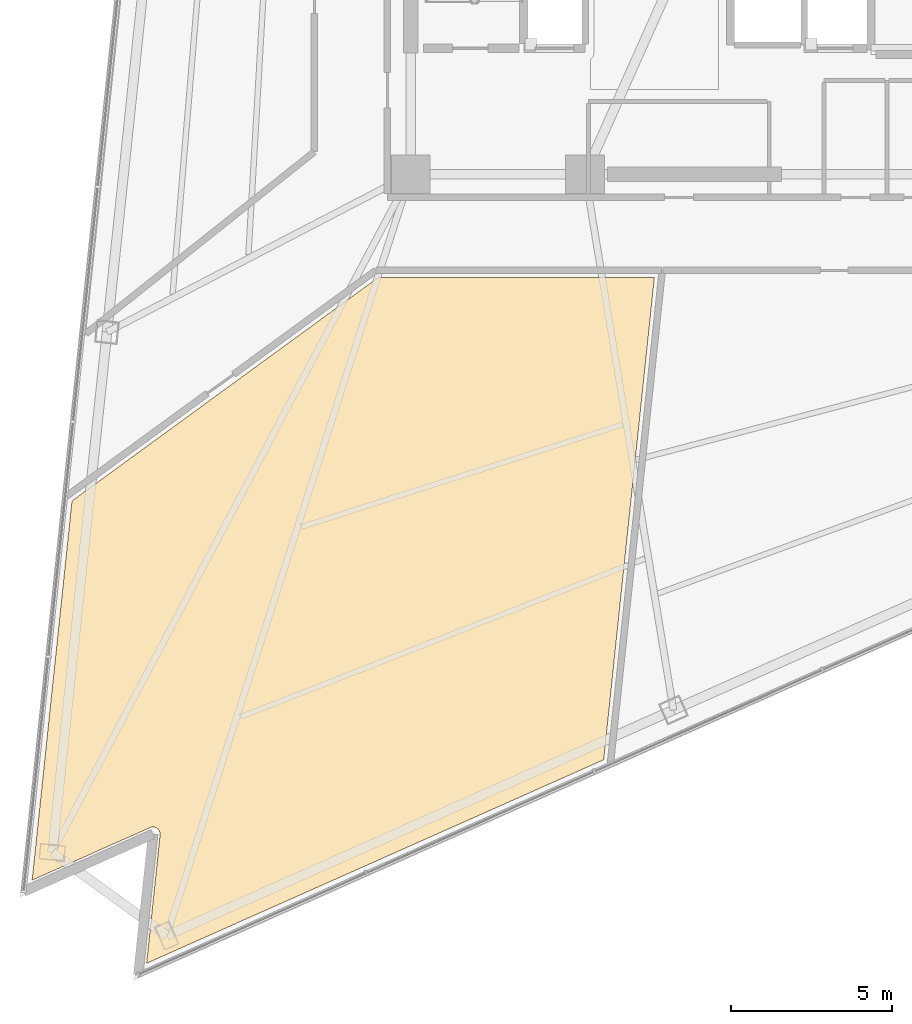
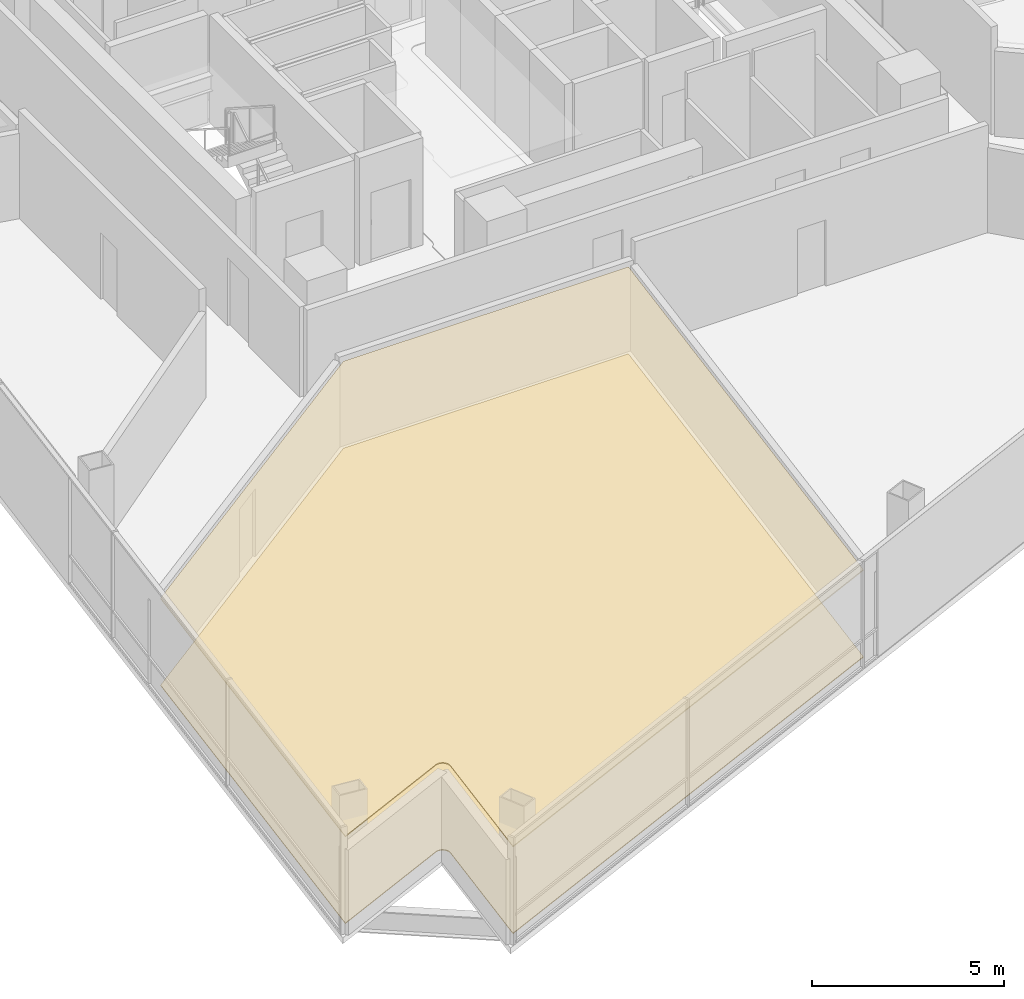
# One storey, part 14 of 19: 2 coverings.
"""IFC4 building model written with IfcOpenShell, lengths in metres."""

from ifc_helpers import new_model, si_unit, direction, frame, origin, place, context, subcontext, project, spatial, polyline, outline, extrude, material, layer, layer_set, type_object, element, save


model = new_model("IFC4")

# Units and contexts
model_context = context("Model", 3, precision=1e-05, world=origin(), true_north=direction((0.0, 1.0)))
body_context = subcontext(model_context, "Body", "Model", "MODEL_VIEW")
ifc_project = project(units=[si_unit("LENGTHUNIT", "METRE"), si_unit("AREAUNIT", "SQUARE_METRE"), si_unit("VOLUMEUNIT", "CUBIC_METRE"), si_unit("PLANEANGLEUNIT", "RADIAN"), si_unit("MASSUNIT", "GRAM", prefix="KILO")], contexts=[model_context])

# Site, building, storey
site_placement = place(None, origin())
site = spatial("IfcSite", under=ifc_project, at=site_placement, CompositionType="ELEMENT")
building_placement = place(site_placement, origin())
building = spatial("IfcBuilding", under=site, at=building_placement, Name="Tharavind Bronze Gate", CompositionType="ELEMENT")
storey_placement = place(building_placement, frame((0.0, 0.0, 116.050048828125)))
storey = spatial("IfcBuildingStorey", under=building, at=storey_placement, Name="L29", CompositionType="ELEMENT", Elevation=116.050048828125)

# Coverings
ifc_material_1 = material(Name="Engineered Oak & Carpet Tile", Category="wood")
ifc_layer_1 = layer(ifc_material_1, 0.02490234375)
ifc_layer_set_1 = layer_set([ifc_layer_1], Name="Engineered Oak & Carpet Tile")
covering_type_1 = type_object("IfcCoveringType", Name="ENGINEERED TIMBER FLOORING", PredefinedType="FLOORING", material=ifc_layer_set_1)
covering_1_placement = place(storey_placement, origin())
element("IfcCovering", 1, at=covering_1_placement, inside=storey, type_object=covering_type_1, Name="L29-RM-05 floor finish", PredefinedType="FLOORING", context=body_context, shape_type="SweptSolid", body=[
    extrude(outline(polyline([(-16.967529296875, -27.8291015625), (-16.957275390625, -27.824951171875), (-16.956787109375, -27.82470703125), (-16.93603515625, -27.81787109375), (-16.91455078125, -27.81298828125), (-16.892822265625, -27.810302734375), (-16.870849609375, -27.809814453125), (-16.84912109375, -27.811767578125), (-16.827392578125, -27.815673828125), (-16.806396484375, -27.82177734375), (-16.785888671875, -27.829833984375), (-16.7666015625, -27.83984375), (-16.748046875, -27.851806640625), (-16.73095703125, -27.865478515625), (-16.71533203125, -27.881103515625), (-16.701416015625, -27.89794921875), (-16.689208984375, -27.916015625), (-16.6787109375, -27.935302734375), (-16.67041015625, -27.95556640625), (-16.6640625, -27.9765625), (-16.65966796875, -27.998046875), (-16.65771484375, -28.02001953125), (-16.65771484375, -28.0419921875), (-16.65771484375, -28.04248046875), (-16.65869140625, -28.053466796875), (-17.07666015625, -32.02978515625), (-2.925537109375, -25.7294921875), (-1.356201171875, -10.800048828125), (-9.906494140625, -10.800048828125), (-19.38623046875, -17.71630859375), (-20.6201171875, -29.455322265625), (-16.967529296875, -27.8291015625)])), origin(), (0.0, 0.0, 1.0), 0.02490234375),
])
ifc_material_2 = material(Name="Acoustic Gypsum Board", Category="gypsum")
ifc_layer_2 = layer(ifc_material_2, 0.030029296875)
ifc_layer_set_2 = layer_set([ifc_layer_2], Name="Acoustic Gypsum Board")
covering_type_2 = type_object("IfcCoveringType", Name="GYPSUM SUSPENDED CEILING", PredefinedType="CEILING", material=ifc_layer_set_2)
covering_2_placement = place(storey_placement, frame((0.0, 0.0, 2.75)))
element("IfcCovering", 2, at=covering_2_placement, inside=storey, type_object=covering_type_2, Name="L29-RM-05 suspended ceiling", PredefinedType="CEILING", context=body_context, shape_type="SweptSolid", body=[
    extrude(outline(polyline([(-16.967529296875, -27.8291015625), (-16.957275390625, -27.824951171875), (-16.956787109375, -27.82470703125), (-16.93603515625, -27.81787109375), (-16.91455078125, -27.81298828125), (-16.892822265625, -27.810302734375), (-16.870849609375, -27.809814453125), (-16.84912109375, -27.811767578125), (-16.827392578125, -27.815673828125), (-16.806396484375, -27.82177734375), (-16.785888671875, -27.829833984375), (-16.7666015625, -27.83984375), (-16.748046875, -27.851806640625), (-16.73095703125, -27.865478515625), (-16.71533203125, -27.881103515625), (-16.701416015625, -27.89794921875), (-16.689208984375, -27.916015625), (-16.6787109375, -27.935302734375), (-16.67041015625, -27.95556640625), (-16.6640625, -27.9765625), (-16.65966796875, -27.998046875), (-16.65771484375, -28.02001953125), (-16.65771484375, -28.0419921875), (-16.65771484375, -28.04248046875), (-16.65869140625, -28.053466796875), (-17.07666015625, -32.02978515625), (-2.925537109375, -25.7294921875), (-1.356201171875, -10.800048828125), (-9.906494140625, -10.800048828125), (-19.38623046875, -17.71630859375), (-20.6201171875, -29.455322265625), (-16.967529296875, -27.8291015625)])), origin(), (0.0, 0.0, 1.0), 0.034912109375),
])

save(model, "model.ifc")
